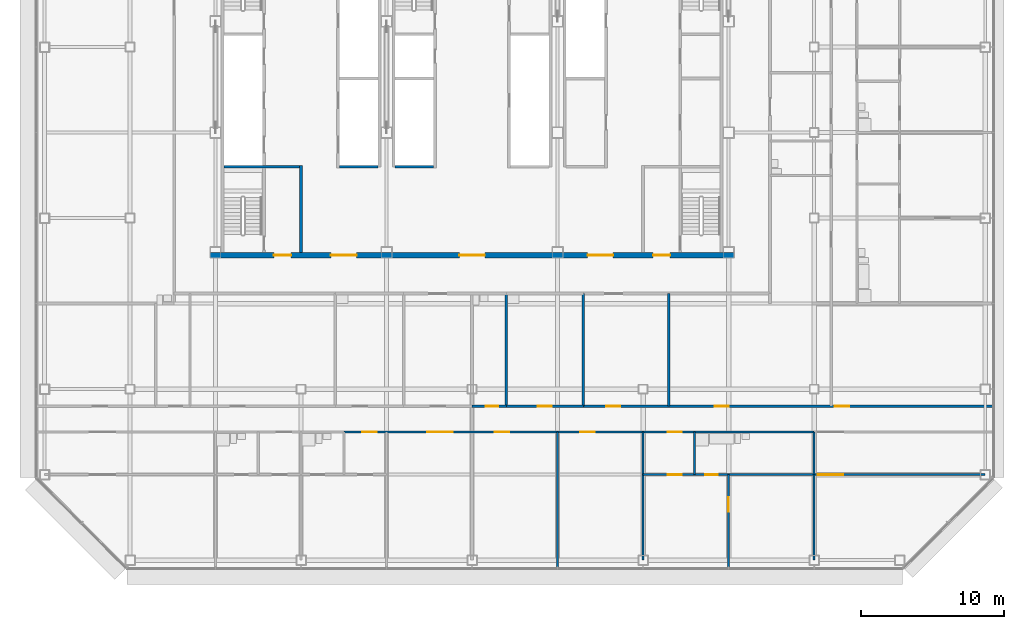
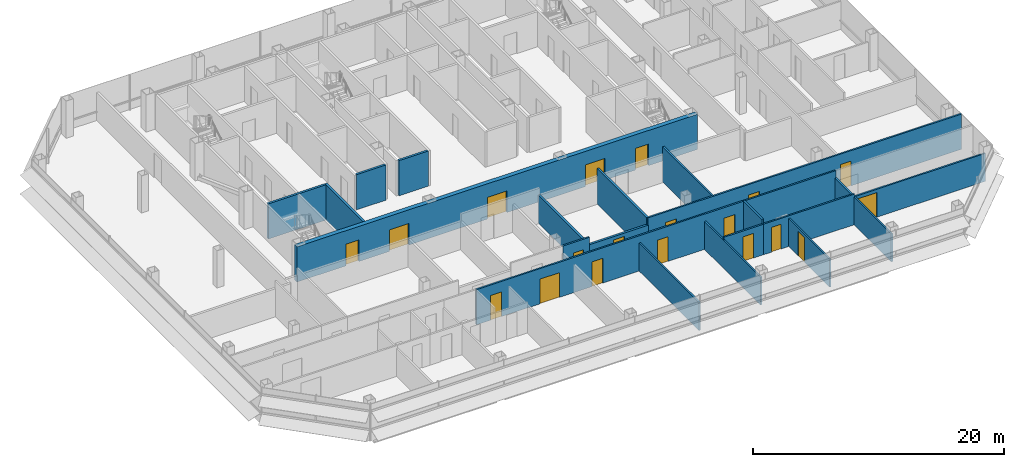
# One storey, part 20 of 26: 22 walls, 19 doors, 19 openings.
"""IFC4 building model written with IfcOpenShell, lengths in metres."""

from ifc_helpers import new_model, si_unit, direction, frame, frame_2d, origin, place, context, subcontext, project, spatial, rectangle, extrude, material, layer, layer_set, type_object, element, fill, save


model = new_model("IFC4")

# Units and contexts
model_context = context("Model", 3, precision=1e-05, world=origin(), true_north=direction((0.0, 1.0)))
body_context = subcontext(model_context, "Body", "Model", "MODEL_VIEW")
ifc_project = project(units=[si_unit("LENGTHUNIT", "METRE"), si_unit("AREAUNIT", "SQUARE_METRE"), si_unit("VOLUMEUNIT", "CUBIC_METRE"), si_unit("PLANEANGLEUNIT", "RADIAN"), si_unit("MASSUNIT", "GRAM", prefix="KILO")], contexts=[model_context])

# Site, building, storey
site_placement = place(None, origin())
site = spatial("IfcSite", under=ifc_project, at=site_placement, CompositionType="ELEMENT")
building_placement = place(site_placement, origin())
building = spatial("IfcBuilding", under=site, at=building_placement, Name="Sorahane Residences", CompositionType="ELEMENT")
storey_placement = place(building_placement, frame((0.0, 0.0, 154.60009765625)))
storey = spatial("IfcBuildingStorey", under=building, at=storey_placement, Name="L35", CompositionType="ELEMENT", Elevation=154.60009765625)

# Walls
ifc_material_1 = material(Name="Concrete C30", Category="concrete")
ifc_layer_1 = layer(ifc_material_1, 0.199951171875)
ifc_layer_set_1 = layer_set([ifc_layer_1], Name="Front room wall 200 EI 120")
wall_type_1 = type_object("IfcWallType", Name="Front room wall 200 EI 120", PredefinedType="PARTITIONING", material=ifc_layer_set_1)
wall_1_placement = place(storey_placement, frame((12.0, 21.60009765625, 0.0), z_axis=(0.0, 0.0, 1.0), x_axis=(0.0, 1.0, 0.0)))
element("IfcWall", 1, at=wall_1_placement, inside=storey, type_object=wall_type_1, Name="L35 front room wall", PredefinedType="PARTITIONING", context=body_context, shape_type="SweptSolid", body=[
    extrude(rectangle(XDim=6.099853515625, YDim=0.199951171875, at=frame_2d((3.0498046875, 0.0))), origin(), (0.0, 0.0, 1.0), 3.419921875),
])
ifc_material_2 = material(Name="Concrete blockwork C20 wall", Category="masonry")
ifc_layer_2 = layer(ifc_material_2, 0.199951171875)
ifc_layer_set_2 = layer_set([ifc_layer_2], Name="Kitchen wall 200 EI 180")
wall_type_2 = type_object("IfcWallType", Name="Kitchen wall 200 EI 180", PredefinedType="SOLIDWALL", material=ifc_layer_set_2)
wall_2_placement = place(storey_placement, frame((26.39990234375, 10.800048828125, 0.0), z_axis=(0.0, 0.0, 1.0), x_axis=(0.0, 1.0, 0.0)))
element("IfcWall", 2, at=wall_2_placement, inside=storey, type_object=wall_type_2, Name="L35 kitchen wall", PredefinedType="SOLIDWALL", context=body_context, shape_type="SweptSolid", body=[
    extrude(rectangle(XDim=7.89990234375, YDim=0.199951171875, at=frame_2d((3.949951171875, 0.0))), origin(), (0.0, 0.0, 1.0), 2.719970703125),
])
wall_3_placement = place(storey_placement, frame((31.800048828125, 10.800048828125, 0.0), z_axis=(0.0, 0.0, 1.0), x_axis=(0.0, 1.0, 0.0)))
element("IfcWall", 3, at=wall_3_placement, inside=storey, type_object=wall_type_2, Name="L35 kitchen wall", PredefinedType="SOLIDWALL", context=body_context, shape_type="SweptSolid", body=[
    extrude(rectangle(XDim=7.89990234375, YDim=0.199951171875, at=frame_2d((3.949951171875, 0.0))), origin(), (0.0, 0.0, 1.0), 3.419921875),
])

# Wall, opening, door
wall_4_placement = place(storey_placement, frame((26.39990234375, 10.800048828125, 0.0), z_axis=(0.0, 0.0, 1.0), x_axis=(1.0, 0.0, 0.0)))
wall_4 = element("IfcWall", 4, at=wall_4_placement, inside=storey, type_object=wall_type_2, Name="L35 kitchen wall", PredefinedType="SOLIDWALL", context=body_context, shape_type="SweptSolid", body=[
    extrude(rectangle(XDim=5.400146484375, YDim=0.199951171875, at=frame_2d((2.7001953125, 0.0))), origin(), (0.0, 0.0, 1.0), 2.719970703125),
])
opening_1_placement = place(wall_4_placement, frame((2.199951171875, 0.0, 0.0)))
opening_1 = element("IfcOpeningElement", 5, at=opening_1_placement, cuts=wall_4, Name="Opening L35-17", PredefinedType="OPENING", context=body_context, shape_type="SweptSolid", body=[
    extrude(rectangle(XDim=1.0, YDim=2.39990234375, at=frame_2d((0.5, 1.199951171875))), frame((0.0, 0.10986328125, 0.0), z_axis=(0.0, -1.0, 0.0), x_axis=(1.0, 0.0, 0.0)), (0.0, 0.0, 1.0), 0.219970703125),
])
ifc_material_3 = material(Name="Steel", Category="steel")
door_type_1 = type_object("IfcDoorType", Name="Kitchen door 1000x2400 FD120", OperationType="NOTDEFINED", PredefinedType="DOOR", material=ifc_material_3)
door_1_placement = place(opening_1_placement, origin())
door_1 = element("IfcDoor", 6, at=door_1_placement, inside=storey, type_object=door_type_1, Name="Kitchen door L35-17", OperationType="SINGLE_SWING_RIGHT", OverallHeight=2.39990234375, OverallWidth=1.0, PredefinedType="DOOR", context=body_context, shape_type="SweptSolid", body=[
    extrude(rectangle(XDim=1.0, YDim=2.39990234375, at=frame_2d((0.5, 1.199951171875))), frame((0.0, 0.02490234375, 0.0), z_axis=(0.0, -1.0, 0.0), x_axis=(1.0, 0.0, 0.0)), (0.0, 0.0, 1.0), 0.050048828125),
])
fill(opening_1, door_1)

# Walls
ifc_material_4 = material(Name="Concrete C30", Category="concrete")
ifc_layer_3 = layer(ifc_material_4, 0.199951171875)
ifc_layer_set_3 = layer_set([ifc_layer_3], Name="Lift shaft wall 200 EI 120")
wall_type_3 = type_object("IfcWallType", Name="Lift shaft wall 200 EI 120", PredefinedType="SOLIDWALL", material=ifc_layer_set_3)
for number, where, z_axis, x_axis, name in (
    (7, (14.699951171875, 27.60009765625, 0.0), (0.0, 0.0, 1.0), (1.0, 0.0, 0.0), "L35 lift shaft wall"),
    (8, (18.60009765625, 27.60009765625, 0.0), (0.0, 0.0, 1.0), (1.0, 0.0, 0.0), "L35 lift shaft wall"),
):
    element("IfcWall", number, at=place(storey_placement, frame(where, z_axis=z_axis, x_axis=x_axis)), inside=storey, type_object=wall_type_3, Name=name, PredefinedType="SOLIDWALL", context=body_context, shape_type="SweptSolid", body=[
        extrude(rectangle(XDim=2.699951171875, YDim=0.199951171875, at=frame_2d((1.35009765625, 0.0))), origin(), (0.0, 0.0, 1.0), 3.419921875),
    ])
ifc_material_5 = material(Name="Gypsum board partition on steel studs", Category="steel")
ifc_layer_4 = layer(ifc_material_5, 0.14990234375)
ifc_layer_set_4 = layer_set([ifc_layer_4], Name="Partition 150 EI 90")
wall_type_4 = type_object("IfcWallType", Name="Partition 150 EI 90", PredefinedType="PARTITIONING", material=ifc_layer_set_4)
wall_5_placement = place(storey_placement, frame((30.0, -0.60009765625, 0.0), z_axis=(0.0, 0.0, 1.0), x_axis=(0.0, 1.0, 0.0)))
element("IfcWall", 9, at=wall_5_placement, inside=storey, type_object=wall_type_4, Name="L35 partition", PredefinedType="PARTITIONING", context=body_context, shape_type="SweptSolid", body=[
    extrude(rectangle(XDim=9.60009765625, YDim=0.14990234375, at=frame_2d((4.800048828125, 0.0))), origin(), (0.0, 0.0, 1.0), 2.719970703125),
])
wall_6_placement = place(storey_placement, frame((36.0, 0.0, 0.0), z_axis=(0.0, 0.0, 1.0), x_axis=(0.0, 1.0, 0.0)))
element("IfcWall", 10, at=wall_6_placement, inside=storey, type_object=wall_type_4, Name="L35 partition", PredefinedType="PARTITIONING", context=body_context, shape_type="SweptSolid", body=[
    extrude(rectangle(XDim=9.0, YDim=0.14990234375, at=frame_2d((4.5, 0.0))), origin(), (0.0, 0.0, 1.0), 2.719970703125),
])
wall_7_placement = place(storey_placement, frame((37.800048828125, 10.800048828125, 0.0), z_axis=(0.0, 0.0, 1.0), x_axis=(0.0, 1.0, 0.0)))
element("IfcWall", 11, at=wall_7_placement, inside=storey, type_object=wall_type_4, Name="L35 partition", PredefinedType="PARTITIONING", context=body_context, shape_type="SweptSolid", body=[
    extrude(rectangle(XDim=7.89990234375, YDim=0.14990234375, at=frame_2d((3.949951171875, 0.0))), origin(), (0.0, 0.0, 1.0), 3.419921875),
])

# Wall, opening, door
wall_8_placement = place(storey_placement, frame((42.0, -0.60009765625, 0.0), z_axis=(0.0, 0.0, 1.0), x_axis=(0.0, 1.0, 0.0)))
wall_8 = element("IfcWall", 12, at=wall_8_placement, inside=storey, type_object=wall_type_4, Name="L35 partition", PredefinedType="PARTITIONING", context=body_context, shape_type="SweptSolid", body=[
    extrude(rectangle(XDim=6.60009765625, YDim=0.14990234375, at=frame_2d((3.300048828125, 0.0))), origin(), (0.0, 0.0, 1.0), 2.719970703125),
])
opening_2_placement = place(wall_8_placement, frame((4.0, 0.0, 0.0)))
opening_2 = element("IfcOpeningElement", 13, at=opening_2_placement, cuts=wall_8, Name="Opening L35-25", PredefinedType="OPENING", context=body_context, shape_type="SweptSolid", body=[
    extrude(rectangle(XDim=1.0, YDim=2.39990234375, at=frame_2d((0.5, 1.199951171875))), frame((0.0, 0.0849609375, 0.0), z_axis=(0.0, -1.0, 0.0), x_axis=(1.0, 0.0, 0.0)), (0.0, 0.0, 1.0), 0.169921875),
])
ifc_material_6 = material(Name="Timber veneered fire door", Category="wood")
door_type_2 = type_object("IfcDoorType", Name="Room door 1000x2400 FD30", OperationType="NOTDEFINED", PredefinedType="DOOR", material=ifc_material_6)
door_2_placement = place(opening_2_placement, frame((1.0, 0.0, 0.0), z_axis=(0.0, 0.0, 1.0), x_axis=(-1.0, 0.0, 0.0)))
door_2 = element("IfcDoor", 14, at=door_2_placement, inside=storey, type_object=door_type_2, Name="Room door L35-25", OperationType="SINGLE_SWING_RIGHT", OverallHeight=2.39990234375, OverallWidth=1.0, PredefinedType="DOOR", context=body_context, shape_type="SweptSolid", body=[
    extrude(rectangle(XDim=1.0, YDim=2.39990234375, at=frame_2d((0.5, 1.199951171875))), frame((0.0, 0.02490234375, 0.0), z_axis=(0.0, -1.0, 0.0), x_axis=(1.0, 0.0, 0.0)), (0.0, 0.0, 1.0), 0.050048828125),
])
fill(opening_2, door_2)

# Wall
wall_9_placement = place(storey_placement, frame((48.0, 0.0, 0.0), z_axis=(0.0, 0.0, 1.0), x_axis=(0.0, 1.0, 0.0)))
element("IfcWall", 15, at=wall_9_placement, inside=storey, type_object=wall_type_4, Name="L35 partition", PredefinedType="PARTITIONING", context=body_context, shape_type="SweptSolid", body=[
    extrude(rectangle(XDim=6.0, YDim=0.14990234375, at=frame_2d((3.0, 0.0))), origin(), (0.0, 0.0, 1.0), 2.719970703125),
])

# Wall, openings, doors
wall_10_placement = place(storey_placement, frame((31.800048828125, 10.800048828125, 0.0), z_axis=(0.0, 0.0, 1.0), x_axis=(1.0, 0.0, 0.0)))
wall_10 = element("IfcWall", 16, at=wall_10_placement, inside=storey, type_object=wall_type_4, Name="L35 partition", PredefinedType="PARTITIONING", context=body_context, shape_type="SweptSolid", body=[
    extrude(rectangle(XDim=28.800048828125, YDim=0.14990234375, at=frame_2d((14.39990234375, 0.0))), origin(), (0.0, 0.0, 1.0), 3.419921875),
])
opening_3_placement = place(wall_10_placement, frame((1.60009765625, 0.0, 0.0)))
opening_3 = element("IfcOpeningElement", 17, at=opening_3_placement, cuts=wall_10, Name="Opening L35-15", PredefinedType="OPENING", context=body_context, shape_type="SweptSolid", body=[
    extrude(rectangle(XDim=1.0, YDim=2.39990234375, at=frame_2d((0.5, 1.199951171875))), frame((0.0, 0.0849609375, 0.0), z_axis=(0.0, -1.0, 0.0), x_axis=(1.0, 0.0, 0.0)), (0.0, 0.0, 1.0), 0.169921875),
])
opening_4_placement = place(wall_10_placement, frame((9.219970703125, 0.0, 0.0)))
opening_4 = element("IfcOpeningElement", 18, at=opening_4_placement, cuts=wall_10, Name="Opening L35-18", PredefinedType="OPENING", context=body_context, shape_type="SweptSolid", body=[
    extrude(rectangle(XDim=1.0, YDim=2.39990234375, at=frame_2d((0.5, 1.199951171875))), frame((0.0, 0.0849609375, 0.0), z_axis=(0.0, -1.0, 0.0), x_axis=(1.0, 0.0, 0.0)), (0.0, 0.0, 1.0), 0.169921875),
])
opening_5_placement = place(wall_10_placement, frame((17.64990234375, 0.0, 0.0)))
opening_5 = element("IfcOpeningElement", 19, at=opening_5_placement, cuts=wall_10, Name="Opening L35-19", PredefinedType="OPENING", context=body_context, shape_type="SweptSolid", body=[
    extrude(rectangle(XDim=1.0, YDim=2.39990234375, at=frame_2d((0.5, 1.199951171875))), frame((0.0, 0.0849609375, 0.0), z_axis=(0.0, -1.0, 0.0), x_axis=(1.0, 0.0, 0.0)), (0.0, 0.0, 1.0), 0.169921875),
])
door_3_placement = place(opening_3_placement, frame((1.0, 0.0, 0.0), z_axis=(0.0, 0.0, 1.0), x_axis=(-1.0, 0.0, 0.0)))
door_3 = element("IfcDoor", 20, at=door_3_placement, inside=storey, type_object=door_type_2, Name="Room door L35-15", OperationType="SINGLE_SWING_LEFT", OverallHeight=2.39990234375, OverallWidth=1.0, PredefinedType="DOOR", context=body_context, shape_type="SweptSolid", body=[
    extrude(rectangle(XDim=1.0, YDim=2.39990234375, at=frame_2d((0.5, 1.199951171875))), frame((0.0, 0.02490234375, 0.0), z_axis=(0.0, -1.0, 0.0), x_axis=(1.0, 0.0, 0.0)), (0.0, 0.0, 1.0), 0.050048828125),
])
fill(opening_3, door_3)
door_4_placement = place(opening_4_placement, origin())
door_4 = element("IfcDoor", 21, at=door_4_placement, inside=storey, type_object=door_type_2, Name="Room door L35-18", OperationType="SINGLE_SWING_LEFT", OverallHeight=2.39990234375, OverallWidth=1.0, PredefinedType="DOOR", context=body_context, shape_type="SweptSolid", body=[
    extrude(rectangle(XDim=1.0, YDim=2.39990234375, at=frame_2d((0.5, 1.199951171875))), frame((0.0, 0.02490234375, 0.0), z_axis=(0.0, -1.0, 0.0), x_axis=(1.0, 0.0, 0.0)), (0.0, 0.0, 1.0), 0.050048828125),
])
fill(opening_4, door_4)
door_5_placement = place(opening_5_placement, origin())
door_5 = element("IfcDoor", 22, at=door_5_placement, inside=storey, type_object=door_type_2, Name="Room door L35-19", OperationType="SINGLE_SWING_LEFT", OverallHeight=2.39990234375, OverallWidth=1.0, PredefinedType="DOOR", context=body_context, shape_type="SweptSolid", body=[
    extrude(rectangle(XDim=1.0, YDim=2.39990234375, at=frame_2d((0.5, 1.199951171875))), frame((0.0, 0.02490234375, 0.0), z_axis=(0.0, -1.0, 0.0), x_axis=(1.0, 0.0, 0.0)), (0.0, 0.0, 1.0), 0.050048828125),
])
fill(opening_5, door_5)

# Wall, opening, door
wall_11_placement = place(storey_placement, frame((36.0, 6.0, 0.0), z_axis=(0.0, 0.0, 1.0), x_axis=(1.0, 0.0, 0.0)))
wall_11 = element("IfcWall", 23, at=wall_11_placement, inside=storey, type_object=wall_type_4, Name="L35 partition", PredefinedType="PARTITIONING", context=body_context, shape_type="SweptSolid", body=[
    extrude(rectangle(XDim=3.60009765625, YDim=0.14990234375, at=frame_2d((1.800048828125, 0.0))), origin(), (0.0, 0.0, 1.0), 2.969970703125),
])
opening_6_placement = place(wall_11_placement, frame((1.719970703125, 0.0, 0.0)))
opening_6 = element("IfcOpeningElement", 24, at=opening_6_placement, cuts=wall_11, Name="Opening L35-24", PredefinedType="OPENING", context=body_context, shape_type="SweptSolid", body=[
    extrude(rectangle(XDim=1.0, YDim=2.39990234375, at=frame_2d((0.5, 1.199951171875))), frame((0.0, 0.0849609375, 0.0), z_axis=(0.0, -1.0, 0.0), x_axis=(1.0, 0.0, 0.0)), (0.0, 0.0, 1.0), 0.169921875),
])
door_6_placement = place(opening_6_placement, frame((1.0, 0.0, 0.0), z_axis=(0.0, 0.0, 1.0), x_axis=(-1.0, 0.0, 0.0)))
door_6 = element("IfcDoor", 25, at=door_6_placement, inside=storey, type_object=door_type_2, Name="Room door L35-24", OperationType="SINGLE_SWING_RIGHT", OverallHeight=2.39990234375, OverallWidth=1.0, PredefinedType="DOOR", context=body_context, shape_type="SweptSolid", body=[
    extrude(rectangle(XDim=1.0, YDim=2.39990234375, at=frame_2d((0.5, 1.199951171875))), frame((0.0, 0.02490234375, 0.0), z_axis=(0.0, -1.0, 0.0), x_axis=(1.0, 0.0, 0.0)), (0.0, 0.0, 1.0), 0.050048828125),
])
fill(opening_6, door_6)

wall_12_placement = place(storey_placement, frame((48.0, 6.0, 0.0), z_axis=(0.0, 0.0, 1.0), x_axis=(1.0, 0.0, 0.0)))
wall_12 = element("IfcWall", 26, at=wall_12_placement, inside=storey, type_object=wall_type_4, Name="L35 partition", PredefinedType="PARTITIONING", context=body_context, shape_type="SweptSolid", body=[
    extrude(rectangle(XDim=12.0, YDim=0.14990234375, at=frame_2d((6.0, 0.0))), origin(), (0.0, 0.0, 1.0), 2.719970703125),
])
opening_7_placement = place(wall_12_placement, frame((0.25, 0.0, 0.0)))
opening_7 = element("IfcOpeningElement", 27, at=opening_7_placement, cuts=wall_12, Name="Opening L35-27", PredefinedType="OPENING", context=body_context, shape_type="SweptSolid", body=[
    extrude(rectangle(XDim=1.800048828125, YDim=2.39990234375, at=frame_2d((0.89990234375, 1.199951171875))), frame((0.0, 0.0849609375, 0.0), z_axis=(0.0, -1.0, 0.0), x_axis=(1.0, 0.0, 0.0)), (0.0, 0.0, 1.0), 0.169921875),
])
ifc_material_7 = material(Name="Timber veneered fire door", Category="wood")
door_type_3 = type_object("IfcDoorType", Name="Double door 1800x2400 FD30", OperationType="NOTDEFINED", PredefinedType="DOOR", material=ifc_material_7)
door_7_placement = place(opening_7_placement, frame((1.800048828125, 0.0, 0.0), z_axis=(0.0, 0.0, 1.0), x_axis=(-1.0, 0.0, 0.0)))
door_7 = element("IfcDoor", 28, at=door_7_placement, inside=storey, type_object=door_type_3, Name="Double door L35-27", OperationType="SINGLE_SWING_RIGHT", OverallHeight=2.39990234375, OverallWidth=1.800048828125, PredefinedType="DOOR", context=body_context, shape_type="SweptSolid", body=[
    extrude(rectangle(XDim=1.800048828125, YDim=2.39990234375, at=frame_2d((0.89990234375, 1.199951171875))), frame((0.0, 0.02490234375, 0.0), z_axis=(0.0, -1.0, 0.0), x_axis=(1.0, 0.0, 0.0)), (0.0, 0.0, 1.0), 0.050048828125),
])
fill(opening_7, door_7)

# Wall, openings, doors
wall_13_placement = place(storey_placement, frame((15.0, 9.0, 0.0), z_axis=(0.0, 0.0, 1.0), x_axis=(1.0, 0.0, 0.0)))
wall_13 = element("IfcWall", 29, at=wall_13_placement, inside=storey, type_object=wall_type_4, Name="L35 partition", PredefinedType="PARTITIONING", context=body_context, shape_type="SweptSolid", body=[
    extrude(rectangle(XDim=24.60009765625, YDim=0.14990234375, at=frame_2d((12.300048828125, 0.0))), origin(), (0.0, 0.0, 1.0), 3.419921875),
])
opening_8_placement = place(wall_13_placement, frame((1.300048828125, 0.0, 0.0)))
opening_8 = element("IfcOpeningElement", 30, at=opening_8_placement, cuts=wall_13, Name="Opening L35-08", PredefinedType="OPENING", context=body_context, shape_type="SweptSolid", body=[
    extrude(rectangle(XDim=1.0, YDim=2.39990234375, at=frame_2d((0.5, 1.199951171875))), frame((0.0, 0.0849609375, 0.0), z_axis=(0.0, -1.0, 0.0), x_axis=(1.0, 0.0, 0.0)), (0.0, 0.0, 1.0), 0.169921875),
])
opening_9_placement = place(wall_13_placement, frame((5.840087890625, 0.0, 0.0)))
opening_9 = element("IfcOpeningElement", 31, at=opening_9_placement, cuts=wall_13, Name="Opening L35-09", PredefinedType="OPENING", context=body_context, shape_type="SweptSolid", body=[
    extrude(rectangle(XDim=1.800048828125, YDim=2.39990234375, at=frame_2d((0.89990234375, 1.199951171875))), frame((0.0, 0.0849609375, 0.0), z_axis=(0.0, -1.0, 0.0), x_axis=(1.0, 0.0, 0.0)), (0.0, 0.0, 1.0), 0.169921875),
])
opening_10_placement = place(wall_13_placement, frame((10.60009765625, 0.0, 0.0)))
opening_10 = element("IfcOpeningElement", 32, at=opening_10_placement, cuts=wall_13, Name="Opening L35-20", PredefinedType="OPENING", context=body_context, shape_type="SweptSolid", body=[
    extrude(rectangle(XDim=1.0, YDim=2.39990234375, at=frame_2d((0.5, 1.199951171875))), frame((0.0, 0.0849609375, 0.0), z_axis=(0.0, -1.0, 0.0), x_axis=(1.0, 0.0, 0.0)), (0.0, 0.0, 1.0), 0.169921875),
])
opening_11_placement = place(wall_13_placement, frame((16.60009765625, 0.0, 0.0)))
opening_11 = element("IfcOpeningElement", 33, at=opening_11_placement, cuts=wall_13, Name="Opening L35-21", PredefinedType="OPENING", context=body_context, shape_type="SweptSolid", body=[
    extrude(rectangle(XDim=1.0, YDim=2.39990234375, at=frame_2d((0.5, 1.199951171875))), frame((0.0, 0.0849609375, 0.0), z_axis=(0.0, -1.0, 0.0), x_axis=(1.0, 0.0, 0.0)), (0.0, 0.0, 1.0), 0.169921875),
])
opening_12_placement = place(wall_13_placement, frame((22.719970703125, 0.0, 0.0)))
opening_12 = element("IfcOpeningElement", 34, at=opening_12_placement, cuts=wall_13, Name="Opening L35-22", PredefinedType="OPENING", context=body_context, shape_type="SweptSolid", body=[
    extrude(rectangle(XDim=1.0, YDim=2.39990234375, at=frame_2d((0.5, 1.199951171875))), frame((0.0, 0.0849609375, 0.0), z_axis=(0.0, -1.0, 0.0), x_axis=(1.0, 0.0, 0.0)), (0.0, 0.0, 1.0), 0.169921875),
])
door_8_placement = place(opening_9_placement, frame((1.800048828125, 0.0, 0.0), z_axis=(0.0, 0.0, 1.0), x_axis=(-1.0, 0.0, 0.0)))
door_8 = element("IfcDoor", 35, at=door_8_placement, inside=storey, type_object=door_type_3, Name="Double door L35-09", OperationType="SINGLE_SWING_RIGHT", OverallHeight=2.39990234375, OverallWidth=1.800048828125, PredefinedType="DOOR", context=body_context, shape_type="SweptSolid", body=[
    extrude(rectangle(XDim=1.800048828125, YDim=2.39990234375, at=frame_2d((0.89990234375, 1.199951171875))), frame((0.0, 0.02490234375, 0.0), z_axis=(0.0, -1.0, 0.0), x_axis=(1.0, 0.0, 0.0)), (0.0, 0.0, 1.0), 0.050048828125),
])
fill(opening_9, door_8)
door_9_placement = place(opening_8_placement, frame((1.0, 0.0, 0.0), z_axis=(0.0, 0.0, 1.0), x_axis=(-1.0, 0.0, 0.0)))
door_9 = element("IfcDoor", 36, at=door_9_placement, inside=storey, type_object=door_type_2, Name="Room door L35-08", OperationType="SINGLE_SWING_LEFT", OverallHeight=2.39990234375, OverallWidth=1.0, PredefinedType="DOOR", context=body_context, shape_type="SweptSolid", body=[
    extrude(rectangle(XDim=1.0, YDim=2.39990234375, at=frame_2d((0.5, 1.199951171875))), frame((0.0, 0.02490234375, 0.0), z_axis=(0.0, -1.0, 0.0), x_axis=(1.0, 0.0, 0.0)), (0.0, 0.0, 1.0), 0.050048828125),
])
fill(opening_8, door_9)
door_10_placement = place(opening_10_placement, frame((1.0, 0.0, 0.0), z_axis=(0.0, 0.0, 1.0), x_axis=(-1.0, 0.0, 0.0)))
door_10 = element("IfcDoor", 37, at=door_10_placement, inside=storey, type_object=door_type_2, Name="Room door L35-20", OperationType="SINGLE_SWING_RIGHT", OverallHeight=2.39990234375, OverallWidth=1.0, PredefinedType="DOOR", context=body_context, shape_type="SweptSolid", body=[
    extrude(rectangle(XDim=1.0, YDim=2.39990234375, at=frame_2d((0.5, 1.199951171875))), frame((0.0, 0.02490234375, 0.0), z_axis=(0.0, -1.0, 0.0), x_axis=(1.0, 0.0, 0.0)), (0.0, 0.0, 1.0), 0.050048828125),
])
fill(opening_10, door_10)
door_11_placement = place(opening_11_placement, frame((1.0, 0.0, 0.0), z_axis=(0.0, 0.0, 1.0), x_axis=(-1.0, 0.0, 0.0)))
door_11 = element("IfcDoor", 38, at=door_11_placement, inside=storey, type_object=door_type_2, Name="Room door L35-21", OperationType="SINGLE_SWING_LEFT", OverallHeight=2.39990234375, OverallWidth=1.0, PredefinedType="DOOR", context=body_context, shape_type="SweptSolid", body=[
    extrude(rectangle(XDim=1.0, YDim=2.39990234375, at=frame_2d((0.5, 1.199951171875))), frame((0.0, 0.02490234375, 0.0), z_axis=(0.0, -1.0, 0.0), x_axis=(1.0, 0.0, 0.0)), (0.0, 0.0, 1.0), 0.050048828125),
])
fill(opening_11, door_11)
door_12_placement = place(opening_12_placement, frame((1.0, 0.0, 0.0), z_axis=(0.0, 0.0, 1.0), x_axis=(-1.0, 0.0, 0.0)))
door_12 = element("IfcDoor", 39, at=door_12_placement, inside=storey, type_object=door_type_2, Name="Room door L35-22", OperationType="SINGLE_SWING_LEFT", OverallHeight=2.39990234375, OverallWidth=1.0, PredefinedType="DOOR", context=body_context, shape_type="SweptSolid", body=[
    extrude(rectangle(XDim=1.0, YDim=2.39990234375, at=frame_2d((0.5, 1.199951171875))), frame((0.0, 0.02490234375, 0.0), z_axis=(0.0, -1.0, 0.0), x_axis=(1.0, 0.0, 0.0)), (0.0, 0.0, 1.0), 0.050048828125),
])
fill(opening_12, door_12)

# Wall
ifc_material_8 = material(Name="Concrete C30", Category="concrete")
ifc_layer_5 = layer(ifc_material_8, 0.199951171875)
ifc_layer_set_5 = layer_set([ifc_layer_5], Name="Stair enclosure wall 200 EI 120")
wall_type_5 = type_object("IfcWallType", Name="Stair enclosure wall 200 EI 120", PredefinedType="SOLIDWALL", material=ifc_layer_set_5)
wall_14_placement = place(storey_placement, frame((6.60009765625, 27.60009765625, 0.0), z_axis=(0.0, 0.0, 1.0), x_axis=(1.0, 0.0, 0.0)))
element("IfcWall", 40, at=wall_14_placement, inside=storey, type_object=wall_type_5, Name="L35 stair enclosure wall", PredefinedType="SOLIDWALL", context=body_context, shape_type="SweptSolid", body=[
    extrude(rectangle(XDim=5.2998046875, YDim=0.199951171875, at=frame_2d((2.64990234375, 0.0))), origin(), (0.0, 0.0, 1.0), 3.419921875),
])

# Wall, openings, doors
ifc_material_9 = material(Name="Concrete C30", Category="concrete")
ifc_layer_6 = layer(ifc_material_9, 0.39990234375)
ifc_layer_set_6 = layer_set([ifc_layer_6], Name="Waiting hall wall 400 EI 120")
wall_type_6 = type_object("IfcWallType", Name="Waiting hall wall 400 EI 120", PredefinedType="SOLIDWALL", material=ifc_layer_set_6)
wall_15_placement = place(storey_placement, frame((5.60009765625, 21.39990234375, 0.0), z_axis=(0.0, 0.0, 1.0), x_axis=(1.0, 0.0, 0.0)))
wall_15 = element("IfcWall", 41, at=wall_15_placement, inside=storey, type_object=wall_type_6, Name="L35 waiting hall wall", PredefinedType="SOLIDWALL", context=body_context, shape_type="SweptSolid", body=[
    extrude(rectangle(XDim=36.7998046875, YDim=0.39990234375, at=frame_2d((18.39990234375, 0.0))), origin(), (0.0, 0.0, 1.0), 3.419921875),
])
opening_13_placement = place(wall_15_placement, frame((8.5, 0.0, 0.0)))
opening_13 = element("IfcOpeningElement", 42, at=opening_13_placement, cuts=wall_15, Name="Opening L35-C01", PredefinedType="OPENING", context=body_context, shape_type="SweptSolid", body=[
    extrude(rectangle(XDim=1.800048828125, YDim=2.10009765625, at=frame_2d((0.89990234375, 1.050048828125))), frame((0.0, 0.2099609375, 0.0), z_axis=(0.0, -1.0, 0.0), x_axis=(1.0, 0.0, 0.0)), (0.0, 0.0, 1.0), 0.419921875),
])
opening_14_placement = place(wall_15_placement, frame((17.5, 0.0, 0.0)))
opening_14 = element("IfcOpeningElement", 43, at=opening_14_placement, cuts=wall_15, Name="Opening L35-C02", PredefinedType="OPENING", context=body_context, shape_type="SweptSolid", body=[
    extrude(rectangle(XDim=1.800048828125, YDim=2.10009765625, at=frame_2d((0.89990234375, 1.050048828125))), frame((0.0, 0.2099609375, 0.0), z_axis=(0.0, -1.0, 0.0), x_axis=(1.0, 0.0, 0.0)), (0.0, 0.0, 1.0), 0.419921875),
])
opening_15_placement = place(wall_15_placement, frame((26.5, 0.0, 0.0)))
opening_15 = element("IfcOpeningElement", 44, at=opening_15_placement, cuts=wall_15, Name="Opening L35-C03", PredefinedType="OPENING", context=body_context, shape_type="SweptSolid", body=[
    extrude(rectangle(XDim=1.800048828125, YDim=2.10009765625, at=frame_2d((0.89990234375, 1.050048828125))), frame((0.0, 0.2099609375, 0.0), z_axis=(0.0, -1.0, 0.0), x_axis=(1.0, 0.0, 0.0)), (0.0, 0.0, 1.0), 0.419921875),
])
opening_16_placement = place(wall_15_placement, frame((4.5, 0.0, 0.0)))
opening_16 = element("IfcOpeningElement", 45, at=opening_16_placement, cuts=wall_15, Name="Opening L35-C04", PredefinedType="OPENING", context=body_context, shape_type="SweptSolid", body=[
    extrude(rectangle(XDim=1.199951171875, YDim=2.10009765625, at=frame_2d((0.60009765625, 1.050048828125))), frame((0.0, 0.2099609375, 0.0), z_axis=(0.0, -1.0, 0.0), x_axis=(1.0, 0.0, 0.0)), (0.0, 0.0, 1.0), 0.419921875),
])
opening_17_placement = place(wall_15_placement, frame((31.10009765625, 0.0, 0.0)))
opening_17 = element("IfcOpeningElement", 46, at=opening_17_placement, cuts=wall_15, Name="Opening L35-C05", PredefinedType="OPENING", context=body_context, shape_type="SweptSolid", body=[
    extrude(rectangle(XDim=1.199951171875, YDim=2.10009765625, at=frame_2d((0.60009765625, 1.050048828125))), frame((0.0, 0.2099609375, 0.0), z_axis=(0.0, -1.0, 0.0), x_axis=(1.0, 0.0, 0.0)), (0.0, 0.0, 1.0), 0.419921875),
])
ifc_material_10 = material(Name="Steel", Category="steel")
door_type_4 = type_object("IfcDoorType", Name="Stair front room door 1200x2100 FD120", OperationType="NOTDEFINED", PredefinedType="DOOR", material=ifc_material_10)
door_13_placement = place(opening_16_placement, frame((1.199951171875, 0.0, 0.0), z_axis=(0.0, 0.0, 1.0), x_axis=(-1.0, 0.0, 0.0)))
door_13 = element("IfcDoor", 47, at=door_13_placement, inside=storey, type_object=door_type_4, Name="Stair front room door Stair S4 front room L35", OperationType="SINGLE_SWING_LEFT", OverallHeight=2.10009765625, OverallWidth=1.199951171875, PredefinedType="DOOR", context=body_context, shape_type="SweptSolid", body=[
    extrude(rectangle(XDim=1.199951171875, YDim=2.10009765625, at=frame_2d((0.60009765625, 1.050048828125))), frame((0.0, 0.02490234375, 0.0), z_axis=(0.0, -1.0, 0.0), x_axis=(1.0, 0.0, 0.0)), (0.0, 0.0, 1.0), 0.050048828125),
])
fill(opening_16, door_13)
door_14_placement = place(opening_17_placement, frame((1.199951171875, 0.0, 0.0), z_axis=(0.0, 0.0, 1.0), x_axis=(-1.0, 0.0, 0.0)))
door_14 = element("IfcDoor", 48, at=door_14_placement, inside=storey, type_object=door_type_4, Name="Stair front room door Stair S5 front room L35", OperationType="SINGLE_SWING_LEFT", OverallHeight=2.10009765625, OverallWidth=1.199951171875, PredefinedType="DOOR", context=body_context, shape_type="SweptSolid", body=[
    extrude(rectangle(XDim=1.199951171875, YDim=2.10009765625, at=frame_2d((0.60009765625, 1.050048828125))), frame((0.0, 0.02490234375, 0.0), z_axis=(0.0, -1.0, 0.0), x_axis=(1.0, 0.0, 0.0)), (0.0, 0.0, 1.0), 0.050048828125),
])
fill(opening_17, door_14)
ifc_material_11 = material(Name="Steel", Category="steel")
door_type_5 = type_object("IfcDoorType", Name="Waiting hall door 1800x2100 FD60", OperationType="NOTDEFINED", PredefinedType="DOOR", material=ifc_material_11)
door_15_placement = place(opening_13_placement, frame((1.800048828125, 0.0, 0.0), z_axis=(0.0, 0.0, 1.0), x_axis=(-1.0, 0.0, 0.0)))
door_15 = element("IfcDoor", 49, at=door_15_placement, inside=storey, type_object=door_type_5, Name="Waiting hall door Residents' waiting hall L35", OperationType="SINGLE_SWING_LEFT", OverallHeight=2.10009765625, OverallWidth=1.800048828125, PredefinedType="DOOR", context=body_context, shape_type="SweptSolid", body=[
    extrude(rectangle(XDim=1.800048828125, YDim=2.10009765625, at=frame_2d((0.89990234375, 1.050048828125))), frame((0.0, 0.02490234375, 0.0), z_axis=(0.0, -1.0, 0.0), x_axis=(1.0, 0.0, 0.0)), (0.0, 0.0, 1.0), 0.050048828125),
])
fill(opening_13, door_15)
door_16_placement = place(opening_14_placement, frame((1.800048828125, 0.0, 0.0), z_axis=(0.0, 0.0, 1.0), x_axis=(-1.0, 0.0, 0.0)))
door_16 = element("IfcDoor", 50, at=door_16_placement, inside=storey, type_object=door_type_5, Name="Waiting hall door Residents' waiting hall L35", OperationType="SINGLE_SWING_LEFT", OverallHeight=2.10009765625, OverallWidth=1.800048828125, PredefinedType="DOOR", context=body_context, shape_type="SweptSolid", body=[
    extrude(rectangle(XDim=1.800048828125, YDim=2.10009765625, at=frame_2d((0.89990234375, 1.050048828125))), frame((0.0, 0.02490234375, 0.0), z_axis=(0.0, -1.0, 0.0), x_axis=(1.0, 0.0, 0.0)), (0.0, 0.0, 1.0), 0.050048828125),
])
fill(opening_14, door_16)
door_17_placement = place(opening_15_placement, frame((1.800048828125, 0.0, 0.0), z_axis=(0.0, 0.0, 1.0), x_axis=(-1.0, 0.0, 0.0)))
door_17 = element("IfcDoor", 51, at=door_17_placement, inside=storey, type_object=door_type_5, Name="Waiting hall door Residents' waiting hall L35", OperationType="SINGLE_SWING_LEFT", OverallHeight=2.10009765625, OverallWidth=1.800048828125, PredefinedType="DOOR", context=body_context, shape_type="SweptSolid", body=[
    extrude(rectangle(XDim=1.800048828125, YDim=2.10009765625, at=frame_2d((0.89990234375, 1.050048828125))), frame((0.0, 0.02490234375, 0.0), z_axis=(0.0, -1.0, 0.0), x_axis=(1.0, 0.0, 0.0)), (0.0, 0.0, 1.0), 0.050048828125),
])
fill(opening_15, door_17)

# Walls
ifc_material_12 = material(Name="Gypsum board partition on steel studs", Category="steel")
ifc_layer_7 = layer(ifc_material_12, 0.14990234375)
ifc_layer_set_7 = layer_set([ifc_layer_7], Name="Wet wall 150 EI 90")
wall_type_7 = type_object("IfcWallType", Name="Wet wall 150 EI 90", PredefinedType="PARTITIONING", material=ifc_layer_set_7)
wall_16_placement = place(storey_placement, frame((39.60009765625, 6.0, 0.0), z_axis=(0.0, 0.0, 1.0), x_axis=(0.0, 1.0, 0.0)))
element("IfcWall", 52, at=wall_16_placement, inside=storey, type_object=wall_type_7, Name="L35 wet wall", PredefinedType="PARTITIONING", context=body_context, shape_type="SweptSolid", body=[
    extrude(rectangle(XDim=3.0, YDim=0.14990234375, at=frame_2d((1.5, 0.0))), origin(), (0.0, 0.0, 1.0), 3.419921875),
])
wall_17_placement = place(storey_placement, frame((48.0, 6.0, 0.0), z_axis=(0.0, 0.0, 1.0), x_axis=(0.0, 1.0, 0.0)))
element("IfcWall", 53, at=wall_17_placement, inside=storey, type_object=wall_type_7, Name="L35 wet wall", PredefinedType="PARTITIONING", context=body_context, shape_type="SweptSolid", body=[
    extrude(rectangle(XDim=3.0, YDim=0.14990234375, at=frame_2d((1.5, 0.0))), origin(), (0.0, 0.0, 1.0), 2.719970703125),
])

# Wall, opening, door
wall_18_placement = place(storey_placement, frame((24.0, 10.800048828125, 0.0), z_axis=(0.0, 0.0, 1.0), x_axis=(1.0, 0.0, 0.0)))
wall_18 = element("IfcWall", 54, at=wall_18_placement, inside=storey, type_object=wall_type_7, Name="L35 wet wall", PredefinedType="PARTITIONING", context=body_context, shape_type="SweptSolid", body=[
    extrude(rectangle(XDim=2.39990234375, YDim=0.14990234375, at=frame_2d((1.199951171875, 0.0))), origin(), (0.0, 0.0, 1.0), 3.419921875),
])
opening_18_placement = place(wall_18_placement, frame((0.949951171875, 0.0, 0.0)))
opening_18 = element("IfcOpeningElement", 55, at=opening_18_placement, cuts=wall_18, Name="Opening L35-16", PredefinedType="OPENING", context=body_context, shape_type="SweptSolid", body=[
    extrude(rectangle(XDim=0.89990234375, YDim=2.39990234375, at=frame_2d((0.449951171875, 1.199951171875))), frame((0.0, 0.0849609375, 0.0), z_axis=(0.0, -1.0, 0.0), x_axis=(1.0, 0.0, 0.0)), (0.0, 0.0, 1.0), 0.169921875),
])
ifc_material_13 = material(Name="Timber veneered fire door", Category="wood")
door_type_6 = type_object("IfcDoorType", Name="Bathroom door 900x2400 FD30", OperationType="NOTDEFINED", PredefinedType="DOOR", material=ifc_material_13)
door_18_placement = place(opening_18_placement, frame((0.89990234375, 0.0, 0.0), z_axis=(0.0, 0.0, 1.0), x_axis=(-1.0, 0.0, 0.0)))
door_18 = element("IfcDoor", 56, at=door_18_placement, inside=storey, type_object=door_type_6, Name="Bathroom door L35-16", OperationType="SINGLE_SWING_RIGHT", OverallHeight=2.39990234375, OverallWidth=0.89990234375, PredefinedType="DOOR", context=body_context, shape_type="SweptSolid", body=[
    extrude(rectangle(XDim=0.89990234375, YDim=2.39990234375, at=frame_2d((0.449951171875, 1.199951171875))), frame((0.0, 0.02490234375, 0.0), z_axis=(0.0, -1.0, 0.0), x_axis=(1.0, 0.0, 0.0)), (0.0, 0.0, 1.0), 0.050048828125),
])
fill(opening_18, door_18)

wall_19_placement = place(storey_placement, frame((39.60009765625, 6.0, 0.0), z_axis=(0.0, 0.0, 1.0), x_axis=(1.0, 0.0, 0.0)))
wall_19 = element("IfcWall", 57, at=wall_19_placement, inside=storey, type_object=wall_type_7, Name="L35 wet wall", PredefinedType="PARTITIONING", context=body_context, shape_type="SweptSolid", body=[
    extrude(rectangle(XDim=8.39990234375, YDim=0.14990234375, at=frame_2d((4.199951171875, 0.0))), origin(), (0.0, 0.0, 1.0), 2.969970703125),
])
opening_19_placement = place(wall_19_placement, frame((0.75, 0.0, 0.0)))
opening_19 = element("IfcOpeningElement", 58, at=opening_19_placement, cuts=wall_19, Name="Opening L35-26", PredefinedType="OPENING", context=body_context, shape_type="SweptSolid", body=[
    extrude(rectangle(XDim=0.89990234375, YDim=2.39990234375, at=frame_2d((0.449951171875, 1.199951171875))), frame((0.0, 0.0849609375, 0.0), z_axis=(0.0, -1.0, 0.0), x_axis=(1.0, 0.0, 0.0)), (0.0, 0.0, 1.0), 0.169921875),
])
door_19_placement = place(opening_19_placement, frame((0.89990234375, 0.0, 0.0), z_axis=(0.0, 0.0, 1.0), x_axis=(-1.0, 0.0, 0.0)))
door_19 = element("IfcDoor", 59, at=door_19_placement, inside=storey, type_object=door_type_6, Name="Bathroom door L35-26", OperationType="SINGLE_SWING_RIGHT", OverallHeight=2.39990234375, OverallWidth=0.89990234375, PredefinedType="DOOR", context=body_context, shape_type="SweptSolid", body=[
    extrude(rectangle(XDim=0.89990234375, YDim=2.39990234375, at=frame_2d((0.449951171875, 1.199951171875))), frame((0.0, 0.02490234375, 0.0), z_axis=(0.0, -1.0, 0.0), x_axis=(1.0, 0.0, 0.0)), (0.0, 0.0, 1.0), 0.050048828125),
])
fill(opening_19, door_19)

# Wall
wall_20_placement = place(storey_placement, frame((39.60009765625, 9.0, 0.0), z_axis=(0.0, 0.0, 1.0), x_axis=(1.0, 0.0, 0.0)))
element("IfcWall", 60, at=wall_20_placement, inside=storey, type_object=wall_type_7, Name="L35 wet wall", PredefinedType="PARTITIONING", context=body_context, shape_type="SweptSolid", body=[
    extrude(rectangle(XDim=8.39990234375, YDim=0.14990234375, at=frame_2d((4.199951171875, 0.0))), origin(), (0.0, 0.0, 1.0), 3.419921875),
])

save(model, "model.ifc")
